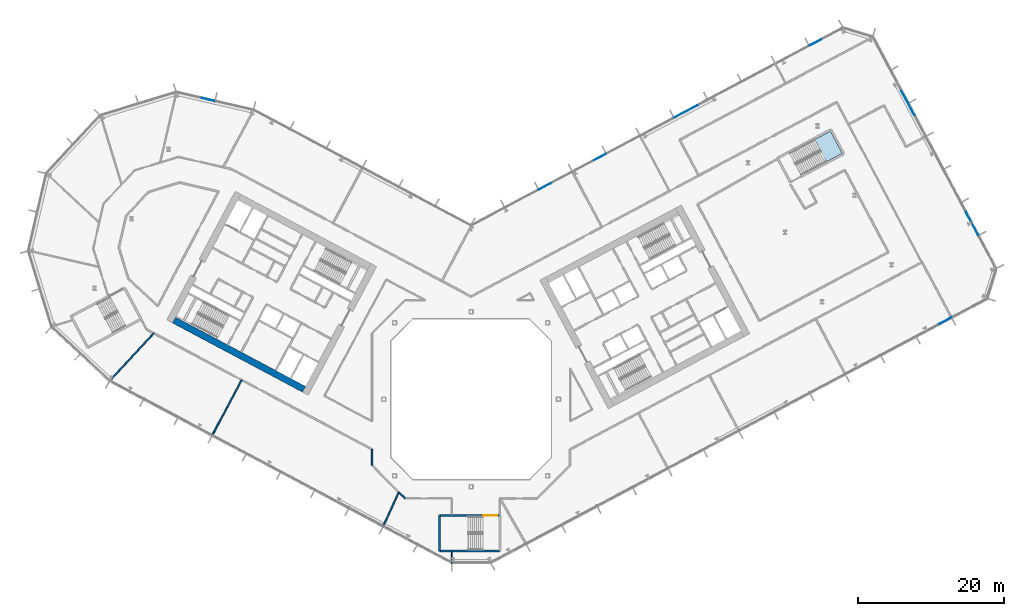
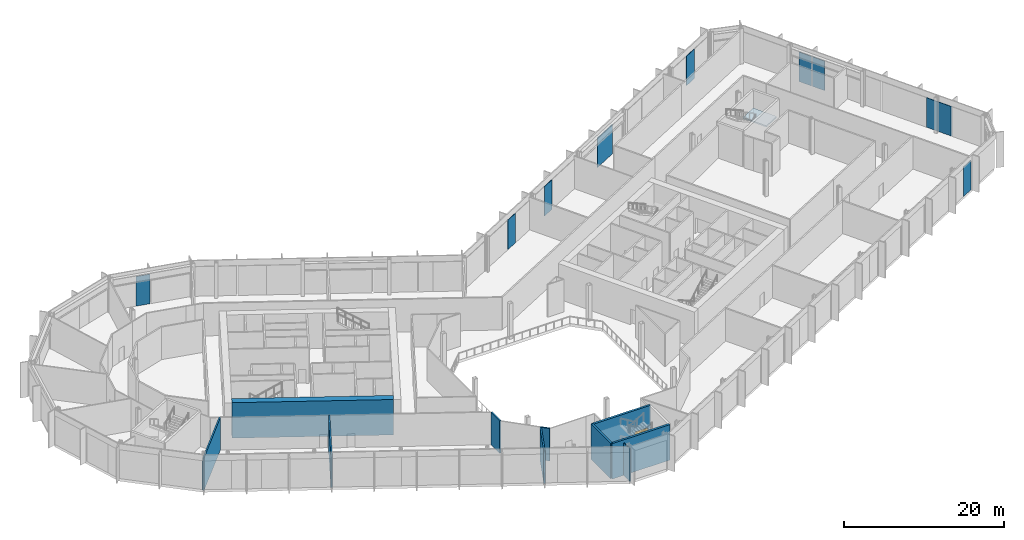
# One storey, part 11 of 30: 10 walls, 9 plates, 1 door, 1 slab, 1 opening, 5 elements without a shape of their own.
"""IFC4 building model written with IfcOpenShell, lengths in metres."""

from ifc_helpers import new_model, si_unit, direction, frame, frame_2d, origin, origin_2d, place, context, subcontext, project, spatial, polyline, rectangle, outline, extrude, material, layer, layer_set, type_object, element, fill, aggregate, save


model = new_model("IFC4")

# Units and contexts
model_context = context("Model", 3, precision=1e-05, world=origin(), true_north=direction((0.0, 1.0)))
body_context = subcontext(model_context, "Body", "Model", "MODEL_VIEW")
ifc_project = project(units=[si_unit("LENGTHUNIT", "METRE"), si_unit("AREAUNIT", "SQUARE_METRE"), si_unit("VOLUMEUNIT", "CUBIC_METRE"), si_unit("PLANEANGLEUNIT", "RADIAN"), si_unit("MASSUNIT", "GRAM", prefix="KILO")], contexts=[model_context])

# Site, building, storey
site_placement = place(None, origin())
site = spatial("IfcSite", under=ifc_project, at=site_placement, CompositionType="ELEMENT")
building_placement = place(site_placement, origin())
building = spatial("IfcBuilding", under=site, at=building_placement, Name="Cormorant Relay Tower", CompositionType="ELEMENT")
storey_placement = place(building_placement, frame((0.0, 0.0, 44.60009765625)))
storey = spatial("IfcBuildingStorey", under=building, at=storey_placement, Name="L08", CompositionType="ELEMENT", Elevation=44.60009765625)

# Curtain wall, plate
ifc_material_1 = material(Name="Aluminium 6063-T6 anodised bronze", Category="aluminium")
ifc_layer_1 = layer(ifc_material_1, 0.235107421875)
ifc_layer_set_1 = layer_set([ifc_layer_1], Name="CW6 data hall curtain wall with mineral wool panels")
curtain_wall_type = type_object("IfcCurtainWallType", Name="CW6 data hall curtain wall with mineral wool panels", PredefinedType="NOTDEFINED", material=ifc_layer_set_1)
curtain_wall_1_placement = place(storey_placement, origin())
curtain_wall_1 = element("IfcCurtainWall", 1, at=curtain_wall_1_placement, inside=storey, type_object=curtain_wall_type, Name="CW6 curtain wall 2", PredefinedType="NOTDEFINED")
ifc_material_2 = material(Name="Tinted triple-glazed laminated unit")
ifc_layer_2 = layer(ifc_material_2, 0.074951171875)
ifc_layer_set_2 = layer_set([ifc_layer_2], Name="CW6 triple-glazed vision unit 1800 module")
plate_type_1 = type_object("IfcPlateType", Name="CW6 triple-glazed vision unit 1800 module", PredefinedType="CURTAIN_PANEL", material=ifc_layer_set_2)
plate_1_placement = place(storey_placement, frame((65.072265625, 10.773193359375, 0.0), z_axis=(0.0, 0.0, 1.0), x_axis=(0.882947592859, 0.469471562786, 0.0)))
plate_1 = element("IfcPlate", 2, at=plate_1_placement, type_object=plate_type_1, Name="CW6 panel V12", PredefinedType="CURTAIN_PANEL", context=body_context, shape_type="SweptSolid", body=[
    extrude(rectangle(XDim=1.800048828125, YDim=0.074951171875, at=origin_2d()), origin(), (0.0, 0.0, 1.0), 4.5),
])
aggregate(curtain_wall_1, [plate_1])

# Curtain wall, plates
curtain_wall_2_placement = place(storey_placement, origin())
curtain_wall_2 = element("IfcCurtainWall", 3, at=curtain_wall_2_placement, inside=storey, type_object=curtain_wall_type, Name="CW6 curtain wall 4", PredefinedType="NOTDEFINED")
plate_2_placement = place(storey_placement, frame((60.44140625, 39.77001953125, 0.0), z_axis=(0.0, 0.0, 1.0), x_axis=(-0.469471562786, 0.882947592859, 0.0)))
plate_2 = element("IfcPlate", 4, at=plate_2_placement, type_object=plate_type_1, Name="CW6 panel V04", PredefinedType="CURTAIN_PANEL", context=body_context, shape_type="SweptSolid", body=[
    extrude(rectangle(XDim=1.800048828125, YDim=0.074951171875, at=origin_2d()), origin(), (0.0, 0.0, 1.0), 4.5),
])
plate_3_placement = place(storey_placement, frame((59.52587890625, 41.49169921875, 0.0), z_axis=(0.0, 0.0, 1.0), x_axis=(-0.469471562786, 0.882947592859, 0.0)))
plate_3 = element("IfcPlate", 5, at=plate_3_placement, type_object=plate_type_1, Name="CW6 panel V05", PredefinedType="CURTAIN_PANEL", context=body_context, shape_type="SweptSolid", body=[
    extrude(rectangle(XDim=1.800048828125, YDim=0.074951171875, at=origin_2d()), origin(), (0.0, 0.0, 1.0), 4.5),
])

curtain_wall_3_placement = place(storey_placement, origin())
curtain_wall_3 = element("IfcCurtainWall", 6, at=curtain_wall_3_placement, inside=storey, type_object=curtain_wall_type, Name="CW6 curtain wall 6", PredefinedType="NOTDEFINED")
plate_4_placement = place(storey_placement, frame((47.265380859375, 48.9580078125, 0.0), z_axis=(0.0, 0.0, 1.0), x_axis=(-0.882947592859, -0.469471562786, 0.0)))
plate_4 = element("IfcPlate", 7, at=plate_4_placement, type_object=plate_type_1, Name="CW6 panel V01", PredefinedType="CURTAIN_PANEL", context=body_context, shape_type="SweptSolid", body=[
    extrude(rectangle(XDim=1.800048828125, YDim=0.074951171875, at=origin_2d()), origin(), (0.0, 0.0, 1.0), 4.5),
])
plate_5_placement = place(storey_placement, frame((17.6904296875, 33.232666015625, 0.0), z_axis=(0.0, 0.0, 1.0), x_axis=(-0.882947592859, -0.469471562786, 0.0)))
plate_5 = element("IfcPlate", 8, at=plate_5_placement, type_object=plate_type_1, Name="CW6 panel V06", PredefinedType="CURTAIN_PANEL", context=body_context, shape_type="SweptSolid", body=[
    extrude(rectangle(XDim=1.800048828125, YDim=0.074951171875, at=origin_2d()), origin(), (0.0, 0.0, 1.0), 4.5),
])
plate_6_placement = place(storey_placement, frame((10.127685546875, 29.21142578125, 0.0), z_axis=(0.0, 0.0, 1.0), x_axis=(-0.882947592859, -0.469471562786, 0.0)))
plate_6 = element("IfcPlate", 9, at=plate_6_placement, type_object=plate_type_1, Name="CW6 panel V08", PredefinedType="CURTAIN_PANEL", context=body_context, shape_type="SweptSolid", body=[
    extrude(rectangle(XDim=1.800048828125, YDim=0.074951171875, at=origin_2d()), origin(), (0.0, 0.0, 1.0), 4.5),
])

# Curtain wall, plate
curtain_wall_4_placement = place(storey_placement, origin())
curtain_wall_4 = element("IfcCurtainWall", 10, at=curtain_wall_4_placement, inside=storey, type_object=curtain_wall_type, Name="CW6 curtain wall 8", PredefinedType="NOTDEFINED")
plate_7_placement = place(storey_placement, frame((-36.111083984375, 41.146484375, 0.0), z_axis=(0.0, 0.0, 1.0), x_axis=(-0.974370064785, 0.224951054344, 0.0)))
plate_7 = element("IfcPlate", 11, at=plate_7_placement, type_object=plate_type_1, Name="CW6 panel V01", PredefinedType="CURTAIN_PANEL", context=body_context, shape_type="SweptSolid", body=[
    extrude(rectangle(XDim=1.800048828125, YDim=0.074951171875, at=origin_2d()), origin(), (0.0, 0.0, 1.0), 4.5),
])
aggregate(curtain_wall_4, [plate_7])

# Plate
ifc_material_3 = material(Name="Tinted triple-glazed laminated unit")
ifc_layer_3 = layer(ifc_material_3, 0.074951171875)
ifc_layer_set_3 = layer_set([ifc_layer_3], Name="CW6 triple-glazed vision unit 3600 module")
plate_type_2 = type_object("IfcPlateType", Name="CW6 triple-glazed vision unit 3600 module", PredefinedType="CURTAIN_PANEL", material=ifc_layer_set_3)
plate_8_placement = place(storey_placement, frame((68.760986328125, 24.122802734375, 0.0), z_axis=(0.0, 0.0, 1.0), x_axis=(-0.469471562786, 0.882947592859, 0.0)))
plate_8 = element("IfcPlate", 12, at=plate_8_placement, type_object=plate_type_2, Name="CW6 panel V01", PredefinedType="CURTAIN_PANEL", context=body_context, shape_type="SweptSolid", body=[
    extrude(rectangle(XDim=3.60009765625, YDim=0.074951171875, at=origin_2d()), origin(), (0.0, 0.0, 1.0), 4.5),
])

aggregate(curtain_wall_2, [plate_8, plate_2, plate_3])

plate_9_placement = place(storey_placement, frame((29.4912109375, 39.507080078125, 0.0), z_axis=(0.0, 0.0, 1.0), x_axis=(-0.882947592859, -0.469471562786, 0.0)))
plate_9 = element("IfcPlate", 13, at=plate_9_placement, type_object=plate_type_2, Name="CW6 panel V04", PredefinedType="CURTAIN_PANEL", context=body_context, shape_type="SweptSolid", body=[
    extrude(rectangle(XDim=3.60009765625, YDim=0.074951171875, at=origin_2d()), origin(), (0.0, 0.0, 1.0), 4.5),
])

aggregate(curtain_wall_3, [plate_4, plate_9, plate_5, plate_6])

# Stair, slab
ifc_material_4 = material(Name="Concrete 40 MPa", Category="concrete")
stair_type = type_object("IfcStairType", Name="Exit stair 1500", PredefinedType="HALF_TURN_STAIR", material=ifc_material_4)
stair_placement = place(storey_placement, origin())
stair = element("IfcStair", 14, at=stair_placement, inside=storey, type_object=stair_type, Name="L08 Stair", PredefinedType="HALF_TURN_STAIR")
ifc_material_5 = material(Name="Concrete 40 MPa", Category="concrete")
ifc_layer_4 = layer(ifc_material_5, 0.199951171875)
ifc_layer_set_4 = layer_set([ifc_layer_4], Name="Exit stair landing 200")
slab_type = type_object("IfcSlabType", Name="Exit stair landing 200", PredefinedType="LANDING", material=ifc_layer_set_4)
slab_placement = place(storey_placement, frame((0.0, 0.0, 2.5)))
slab = element("IfcSlab", 15, at=slab_placement, type_object=slab_type, Name="RB1 landing 1", PredefinedType="LANDING", context=body_context, shape_type="SweptSolid", body=[
    extrude(outline(polyline([(48.796142578125, 32.614013671875), (50.941650390625, 33.7548828125), (49.322021484375, 36.801025390625), (47.17626953125, 35.66015625), (48.796142578125, 32.614013671875)])), origin(), (0.0, 0.0, 1.0), 0.199951171875),
])
aggregate(stair, [slab])

# Walls
ifc_material_6 = material(Name="Concrete 70 MPa", Category="concrete")
ifc_layer_5 = layer(ifc_material_6, 0.89990234375)
ifc_layer_set_5 = layer_set([ifc_layer_5], Name="Core wall 900")
wall_type_1 = type_object("IfcWallType", Name="Core wall 900", PredefinedType="SHEAR", material=ifc_layer_set_5)
wall_1_placement = place(storey_placement, frame((-22.93701171875, 1.3798828125, 0.0), z_axis=(0.0, 0.0, 1.0), x_axis=(-0.88295276571, 0.46946183394, 0.0)))
element("IfcWall", 16, at=wall_1_placement, inside=storey, type_object=wall_type_1, Name="L08 core A wall", PredefinedType="SHEAR", context=body_context, shape_type="SweptSolid", body=[
    extrude(rectangle(XDim=20.199951171875, YDim=0.89990234375, at=frame_2d((10.10009765625, 0.0))), origin(), (0.0, 0.0, 1.0), 5.39990234375),
])
ifc_material_7 = material(Name="Fire-rated gypsum board partition")
ifc_layer_6 = layer(ifc_material_7, 0.199951171875)
ifc_layer_set_6 = layer_set([ifc_layer_6], Name="Fire-rated gypsum partition 200")
wall_type_2 = type_object("IfcWallType", Name="Fire-rated gypsum partition 200", PredefinedType="PARTITIONING", material=ifc_layer_set_6)
wall_2_placement = place(storey_placement, frame((-49.73291015625, 2.43310546875, 0.0), z_axis=(0.0, 0.0, 1.0), x_axis=(0.682002261255, 0.731350063679, 0.0)))
element("IfcWall", 17, at=wall_2_placement, inside=storey, type_object=wall_type_2, Name="wall/L08/part/10", PredefinedType="PARTITIONING", context=body_context, shape_type="SweptSolid", body=[
    extrude(rectangle(XDim=9.05859375, YDim=0.199951171875, at=frame_2d((4.529296875, 0.0))), origin(), (0.0, 0.0, 1.0), 4.949951171875),
])
wall_3_placement = place(storey_placement, frame((-31.4951171875, 2.64599609375, 0.0), z_axis=(0.0, 0.0, 1.0), x_axis=(-0.469461194384, -0.882953105758, 0.0)))
element("IfcWall", 18, at=wall_3_placement, inside=storey, type_object=wall_type_2, Name="wall/L08/part/11", PredefinedType="PARTITIONING", context=body_context, shape_type="SweptSolid", body=[
    extrude(rectangle(XDim=8.750244140625, YDim=0.199951171875, at=frame_2d((4.375, 0.0))), origin(), (0.0, 0.0, 1.0), 4.949951171875),
])
wall_4_placement = place(storey_placement, frame((-13.60009765625, -9.076904296875, 0.0), z_axis=(0.0, 0.0, 1.0), x_axis=(0.0, 1.0, 0.0)))
element("IfcWall", 19, at=wall_4_placement, inside=storey, type_object=wall_type_2, Name="wall/L08/part/40", PredefinedType="PARTITIONING", context=body_context, shape_type="SweptSolid", body=[
    extrude(rectangle(XDim=2.19189453125, YDim=0.199951171875, at=frame_2d((1.095947265625, 0.0))), origin(), (0.0, 0.0, 1.0), 4.949951171875),
])
wall_5_placement = place(storey_placement, frame((-9.91796875, -12.759033203125, 0.0), z_axis=(0.0, 0.0, 1.0), x_axis=(-0.41878582264, -0.908085037183, 0.0)))
element("IfcWall", 20, at=wall_5_placement, inside=storey, type_object=wall_type_2, Name="wall/L08/part/43", PredefinedType="PARTITIONING", context=body_context, shape_type="SweptSolid", body=[
    extrude(rectangle(XDim=5.286865234375, YDim=0.199951171875, at=frame_2d((2.6435546875, 0.0))), origin(), (0.0, 0.0, 1.0), 4.949951171875),
])
wall_6_placement = place(storey_placement, frame((-9.076904296875, -13.60009765625, 0.0), z_axis=(0.0, 0.0, 1.0), x_axis=(-0.707106781187, 0.707106781187, 0.0)))
element("IfcWall", 21, at=wall_6_placement, inside=storey, type_object=wall_type_2, Name="wall/L08/part/45", PredefinedType="PARTITIONING", context=body_context, shape_type="SweptSolid", body=[
    extrude(rectangle(XDim=1.189453125, YDim=0.199951171875, at=frame_2d((0.5947265625, 0.0))), origin(), (0.0, 0.0, 1.0), 4.949951171875),
])
ifc_material_8 = material(Name="Gypsum board partition")
ifc_layer_7 = layer(ifc_material_8, 0.14990234375)
ifc_layer_set_7 = layer_set([ifc_layer_7], Name="Gypsum board partition 150")
wall_type_3 = type_object("IfcWallType", Name="Gypsum board partition 150", PredefinedType="PARTITIONING", material=ifc_layer_set_7)
wall_7_placement = place(storey_placement, frame((-2.64892578125, -20.9599609375, 0.0), z_axis=(0.0, 0.0, 1.0), x_axis=(0.0, -1.0, 0.0)))
element("IfcWall", 22, at=wall_7_placement, inside=storey, type_object=wall_type_3, Name="wall/L08/part/50", PredefinedType="PARTITIONING", context=body_context, shape_type="SweptSolid", body=[
    extrude(rectangle(XDim=1.6220703125, YDim=0.14990234375, at=frame_2d((0.81103515625, 0.0))), origin(), (0.0, 0.0, 1.0), 4.949951171875),
])
ifc_material_9 = material(Name="Concrete 50 MPa", Category="concrete")
ifc_layer_8 = layer(ifc_material_9, 0.300048828125)
ifc_layer_set_8 = layer_set([ifc_layer_8], Name="Remote stair wall 300")
wall_type_4 = type_object("IfcWallType", Name="Remote stair wall 300", PredefinedType="SHEAR", material=ifc_layer_set_8)
wall_8_placement = place(storey_placement, frame((3.949951171875, -20.824951171875, 0.0), z_axis=(0.0, 0.0, 1.0), x_axis=(-1.0, 0.0, 0.0)))
element("IfcWall", 23, at=wall_8_placement, inside=storey, type_object=wall_type_4, Name="L08 exit stair RK1 wall", PredefinedType="SHEAR", context=body_context, shape_type="SweptSolid", body=[
    extrude(rectangle(XDim=8.300048828125, YDim=0.300048828125, at=frame_2d((4.14990234375, 0.0))), origin(), (0.0, 0.0, 1.0), 5.39990234375),
])
wall_9_placement = place(storey_placement, frame((-4.35009765625, -20.824951171875, 0.0), z_axis=(0.0, 0.0, 1.0), x_axis=(0.0, 1.0, 0.0)))
element("IfcWall", 24, at=wall_9_placement, inside=storey, type_object=wall_type_4, Name="L08 exit stair RK1 wall", PredefinedType="SHEAR", context=body_context, shape_type="SweptSolid", body=[
    extrude(rectangle(XDim=4.849853515625, YDim=0.300048828125, at=frame_2d((2.4248046875, 0.0))), origin(), (0.0, 0.0, 1.0), 5.39990234375),
])

# Wall, opening, door
wall_10_placement = place(storey_placement, frame((-4.35009765625, -15.97509765625, 0.0), z_axis=(0.0, 0.0, 1.0), x_axis=(1.0, 0.0, 0.0)))
wall_10 = element("IfcWall", 25, at=wall_10_placement, inside=storey, type_object=wall_type_4, Name="L08 exit stair RK1 wall", PredefinedType="SHEAR", context=body_context, shape_type="SweptSolid", body=[
    extrude(rectangle(XDim=8.300048828125, YDim=0.300048828125, at=frame_2d((4.14990234375, 0.0))), origin(), (0.0, 0.0, 1.0), 5.39990234375),
])
opening_placement = place(wall_10_placement, frame((6.050048828125, 0.0, 0.0)))
opening = element("IfcOpeningElement", 26, at=opening_placement, cuts=wall_10, Name="Opening CDE-006", PredefinedType="OPENING", context=body_context, shape_type="SweptSolid", body=[
    extrude(rectangle(XDim=1.89990234375, YDim=2.10009765625, at=frame_2d((0.949951171875, 1.050048828125))), frame((0.0, 0.159912109375, 0.0), z_axis=(0.0, -1.0, 0.0), x_axis=(1.0, 0.0, 0.0)), (0.0, 0.0, 1.0), 0.320068359375),
])
ifc_material_10 = material(Name="Steel fire door", Category="steel")
door_type = type_object("IfcDoorType", Name="Remote stair door 1900x2100", OperationType="DOUBLE_DOOR_SINGLE_SWING", PredefinedType="DOOR", material=ifc_material_10)
door_placement = place(opening_placement, frame((1.89990234375, 0.0, 0.0), z_axis=(0.0, 0.0, 1.0), x_axis=(-1.0, 0.0, 0.0)))
door = element("IfcDoor", 27, at=door_placement, inside=storey, type_object=door_type, Name="Exit stair RK1 door", OperationType="DOUBLE_DOOR_SINGLE_SWING", OverallHeight=2.10009765625, OverallWidth=1.89990234375, PredefinedType="DOOR", context=body_context, shape_type="SweptSolid", body=[
    extrude(rectangle(XDim=1.89990234375, YDim=2.10009765625, at=frame_2d((0.949951171875, 1.050048828125))), frame((0.0, 0.02490234375, 0.0), z_axis=(0.0, -1.0, 0.0), x_axis=(1.0, 0.0, 0.0)), (0.0, 0.0, 1.0), 0.050048828125),
])
fill(opening, door)

save(model, "model.ifc")
